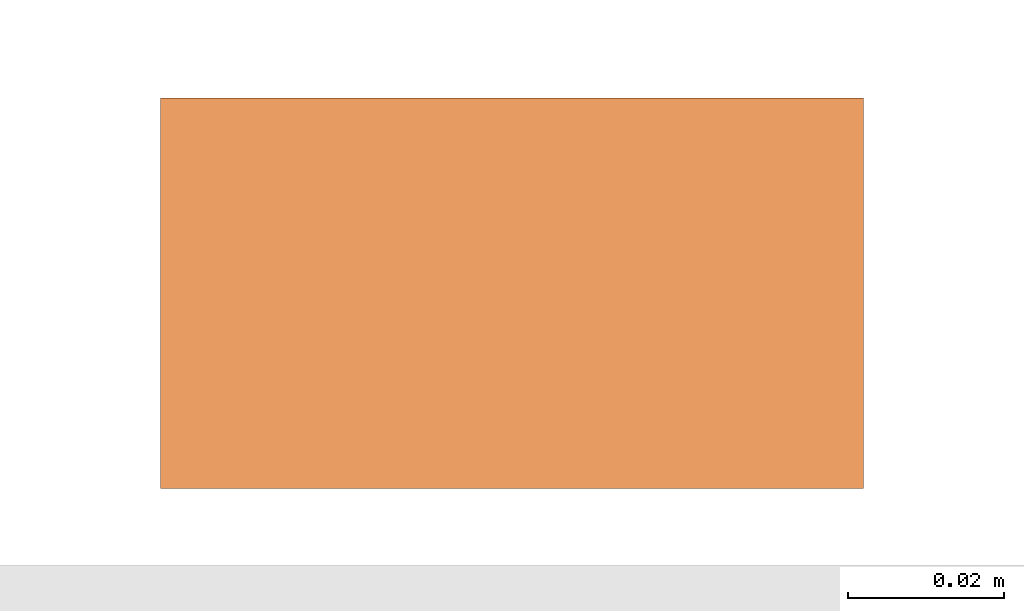
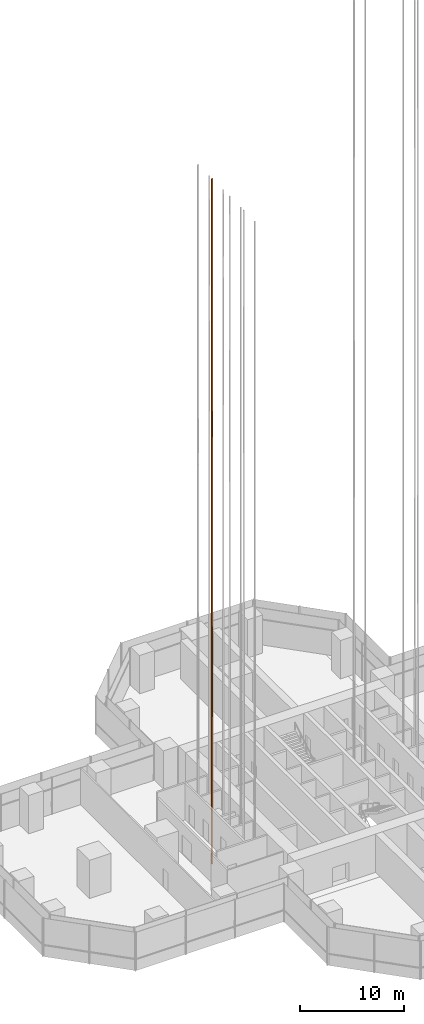
# One storey, part 26 of 34: 1 proxy.
"""IFC4 building model written with IfcOpenShell, lengths in metres."""

from ifc_helpers import new_model, si_unit, direction, frame, origin, origin_2d, place, context, subcontext, project, spatial, rectangle, extrude, material, element, save


model = new_model("IFC4")

# Units and contexts
model_context = context("Model", 3, precision=1e-05, world=origin(), true_north=direction((0.0, 1.0)))
body_context = subcontext(model_context, "Body", "Model", "MODEL_VIEW")
ifc_project = project(units=[si_unit("LENGTHUNIT", "METRE"), si_unit("AREAUNIT", "SQUARE_METRE"), si_unit("VOLUMEUNIT", "CUBIC_METRE"), si_unit("PLANEANGLEUNIT", "RADIAN"), si_unit("MASSUNIT", "GRAM", prefix="KILO")], contexts=[model_context])

# Site, building, storey
site_placement = place(None, origin())
site = spatial("IfcSite", under=ifc_project, at=site_placement, CompositionType="ELEMENT")
building_placement = place(site_placement, origin())
building = spatial("IfcBuilding", under=site, at=building_placement, Name="Mizan Broadcast Tower", CompositionType="ELEMENT")
storey_placement = place(building_placement, frame((0.0, 0.0, 194.39990234375)))
storey = spatial("IfcBuildingStorey", under=building, at=storey_placement, Name="L45", CompositionType="ELEMENT", Elevation=194.39990234375)

# Proxy
ifc_material = material(Name="Steel guide rail", Category="steel")
proxy_placement = place(storey_placement, frame((-12.27490234375, 2.784912109375, -3.89990234375), z_axis=(0.0, 0.0, 1.0), x_axis=(1.0, 0.0, 0.0)))
element("IfcBuildingElementProxy", 1, at=proxy_placement, inside=storey, material=ifc_material, Name="Guide rail LC2-2", PredefinedType="NOTDEFINED", context=body_context, shape_type="SweptSolid", body=[
    extrude(rectangle(XDim=0.090087890625, YDim=0.050048828125, at=origin_2d()), origin(), (0.0, 0.0, 1.0), 80.52001953125),
])

save(model, "model.ifc")
